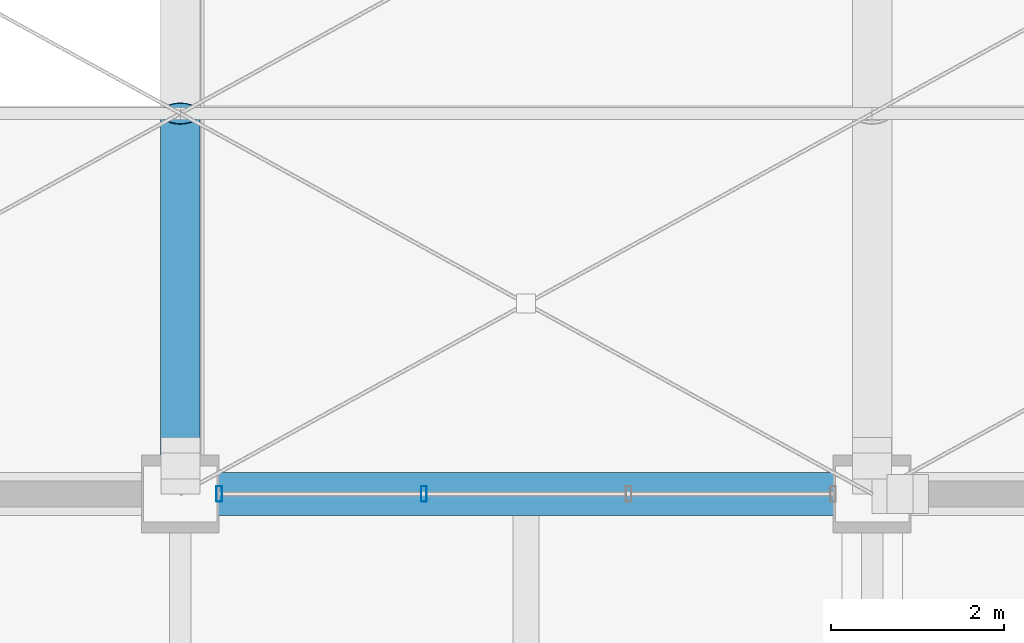
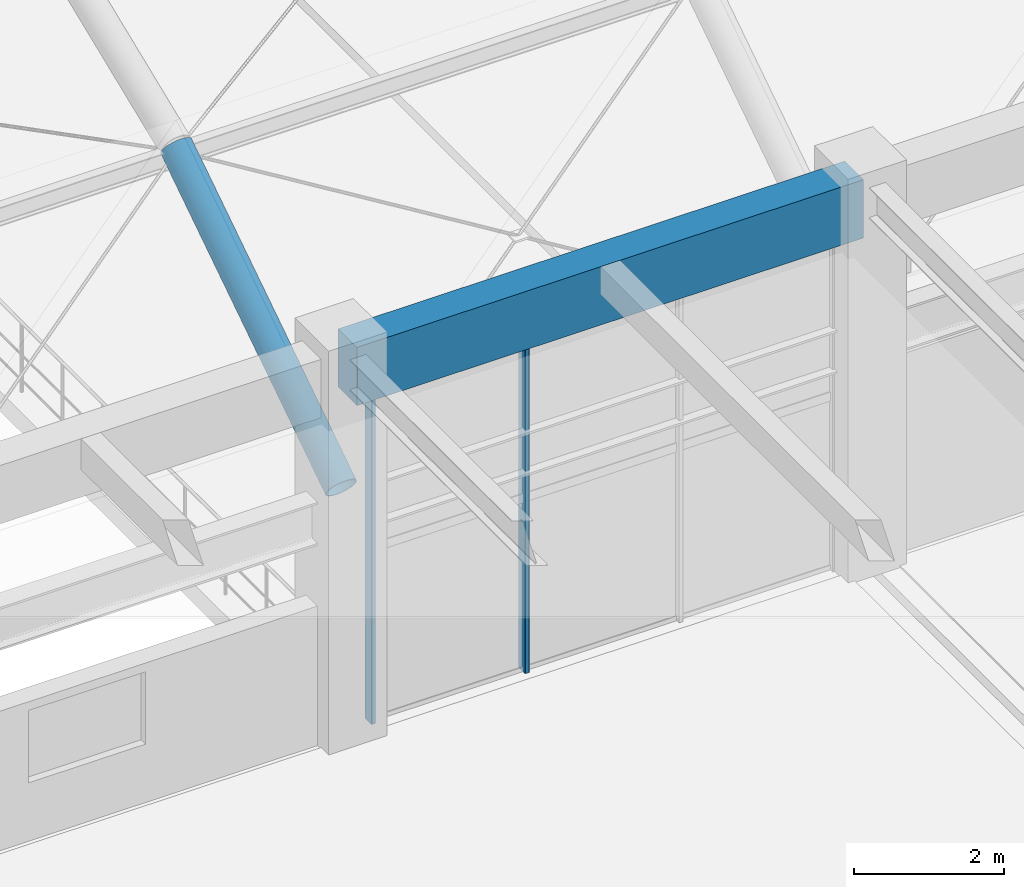
# One storey, part 20 of 163: 2 beams, 2 members, 1 element without a shape of its own.
"""IFC4 building model written with IfcOpenShell, lengths in metres."""

from ifc_helpers import new_model, si_unit, direction, frame, origin, origin_2d, place, context, subcontext, project, spatial, rectangle, hollow_rectangle, hollow_circle, extrude, material, material_profile, profile_set, type_object, element, aggregate, save


model = new_model("IFC4")

# Units and contexts
model_context = context("Model", 3, precision=1e-05, world=origin(), true_north=direction((0.0, 1.0)))
body_context = subcontext(model_context, "Body", "Model", "MODEL_VIEW")
ifc_project = project(units=[si_unit("LENGTHUNIT", "METRE"), si_unit("AREAUNIT", "SQUARE_METRE"), si_unit("VOLUMEUNIT", "CUBIC_METRE"), si_unit("PLANEANGLEUNIT", "RADIAN"), si_unit("MASSUNIT", "GRAM", prefix="KILO")], contexts=[model_context])

# Site, building, storey
site_placement = place(None, origin())
site = spatial("IfcSite", under=ifc_project, at=site_placement, CompositionType="ELEMENT")
building_placement = place(site_placement, origin())
building = spatial("IfcBuilding", under=site, at=building_placement, Name="Varnabhumi Central Station", CompositionType="ELEMENT")
storey_placement = place(building_placement, frame((0.0, 0.0, 9.60009765625)))
storey = spatial("IfcBuildingStorey", under=building, at=storey_placement, Name="L02", CompositionType="ELEMENT", Elevation=9.60009765625)

# Beams
ifc_material_1 = material(Name="Structural steel E450", Category="steel")
ifc_material_profile_1 = material_profile(ifc_material_1, hollow_circle(Radius=0.228515625, WallThickness=0.01611328125, at=origin_2d()), Name="Structural steel E450", Category="steel")
ifc_profile_set_1 = profile_set([ifc_material_profile_1], Name="Structural steel E450")
beam_type_1 = type_object("IfcBeamType", Name="BM-ARCH-CHS457", PredefinedType="BEAM", material=ifc_profile_set_1)
beam_1_placement = place(storey_placement, frame((56.0, 36.0, 3.949951171875), z_axis=(0.0, 0.835386835677, 0.549662473503), x_axis=(-1.0, 0.0, 0.0)))
element("IfcBeam", 1, at=beam_1_placement, inside=storey, type_object=beam_type_1, Name="Ticket Hall Vault Arch Rib 3 Seg 1", PredefinedType="BEAM", context=body_context, shape_type="SweptSolid", body=[
    extrude(hollow_circle(Radius=0.228515625, WallThickness=0.01611328125, at=origin_2d()), origin(), (0.0, 0.0, 1.0), 5.266845703125),
])
ifc_material_2 = material(Name="Concrete M40", Category="concrete")
ifc_material_profile_2 = material_profile(ifc_material_2, rectangle(XDim=0.5, YDim=0.949951171875, at=origin_2d()), Name="Concrete M40", Category="concrete")
ifc_profile_set_2 = profile_set([ifc_material_profile_2], Name="Concrete M40")
beam_type_2 = type_object("IfcBeamType", Name="BM-RC-950x500", PredefinedType="BEAM", material=ifc_profile_set_2)
beam_2_placement = place(storey_placement, frame((56.10009765625, 36.0, 5.875), z_axis=(1.0, 0.0, 0.0), x_axis=(0.0, 1.0, 0.0)))
element("IfcBeam", 2, at=beam_2_placement, inside=storey, type_object=beam_type_2, Name="Beam L02-E:8-9", PredefinedType="BEAM", context=body_context, shape_type="SweptSolid", body=[
    extrude(rectangle(XDim=0.5, YDim=0.949951171875, at=origin_2d()), origin(), (0.0, 0.0, 1.0), 7.7998046875),
])

# Curtain wall, members
ifc_material_3 = material(Name="Anodised aluminium 6063-T6", Category="aluminium")
curtain_wall_type = type_object("IfcCurtainWallType", Name="CW-SPINE-SCREEN-L2", PredefinedType="NOTDEFINED", material=ifc_material_3)
curtain_wall_placement = place(storey_placement, origin())
curtain_wall = element("IfcCurtainWall", 3, at=curtain_wall_placement, inside=storey, type_object=curtain_wall_type, Name="Curtain Wall CW-SS203", PredefinedType="NOTDEFINED")
ifc_material_profile_3 = material_profile(ifc_material_3, hollow_rectangle(XDim=0.06494140625, YDim=0.179931640625, WallThickness=0.00390625, InnerFilletRadius=0.001953125, OuterFilletRadius=0.006103515625, at=origin_2d()), Name="Anodised aluminium 6063-T6", Category="aluminium")
ifc_profile_set_3 = profile_set([ifc_material_profile_3], Name="Anodised aluminium 6063-T6")
member_type = type_object("IfcMemberType", Name="CW-MUL-180", PredefinedType="MULLION", material=ifc_profile_set_3)
member_1_placement = place(storey_placement, frame((56.449951171875, 36.0, 0.0), z_axis=(0.0, 0.0, 1.0), x_axis=(1.0, 0.0, 0.0)))
member_1 = element("IfcMember", 4, at=member_1_placement, type_object=member_type, Name="Curtain Wall Mullion CW-SS203-M1", PredefinedType="MULLION", context=body_context, shape_type="SweptSolid", body=[
    extrude(hollow_rectangle(XDim=0.06494140625, YDim=0.179931640625, WallThickness=0.00390625, InnerFilletRadius=0.001953125, OuterFilletRadius=0.006103515625, at=origin_2d()), origin(), (0.0, 0.0, 1.0), 5.639892578125),
])
member_2_placement = place(storey_placement, frame((58.816650390625, 36.0, 0.0), z_axis=(0.0, 0.0, 1.0), x_axis=(1.0, 0.0, 0.0)))
member_2 = element("IfcMember", 5, at=member_2_placement, type_object=member_type, Name="Curtain Wall Mullion CW-SS203-M2", PredefinedType="MULLION", context=body_context, shape_type="SweptSolid", body=[
    extrude(hollow_rectangle(XDim=0.06494140625, YDim=0.179931640625, WallThickness=0.00390625, InnerFilletRadius=0.001953125, OuterFilletRadius=0.006103515625, at=origin_2d()), origin(), (0.0, 0.0, 1.0), 5.639892578125),
])
aggregate(curtain_wall, [member_1, member_2])

save(model, "model.ifc")
